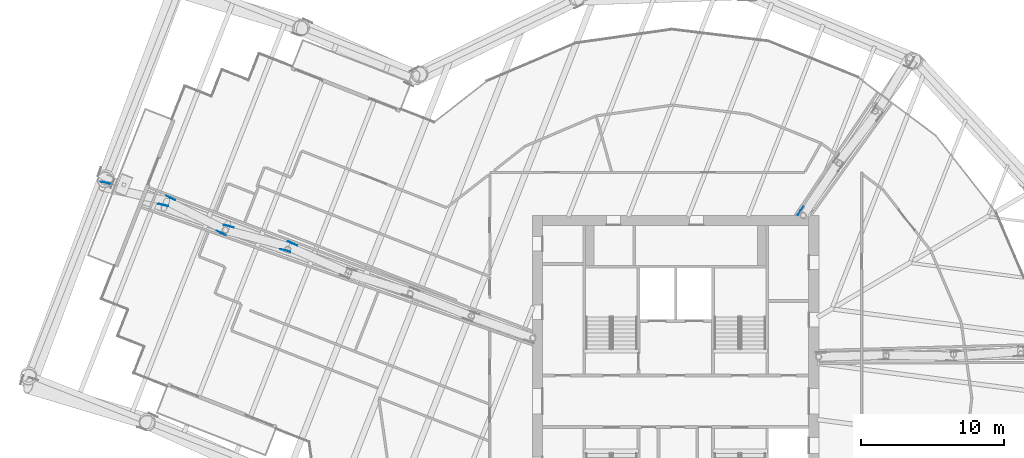
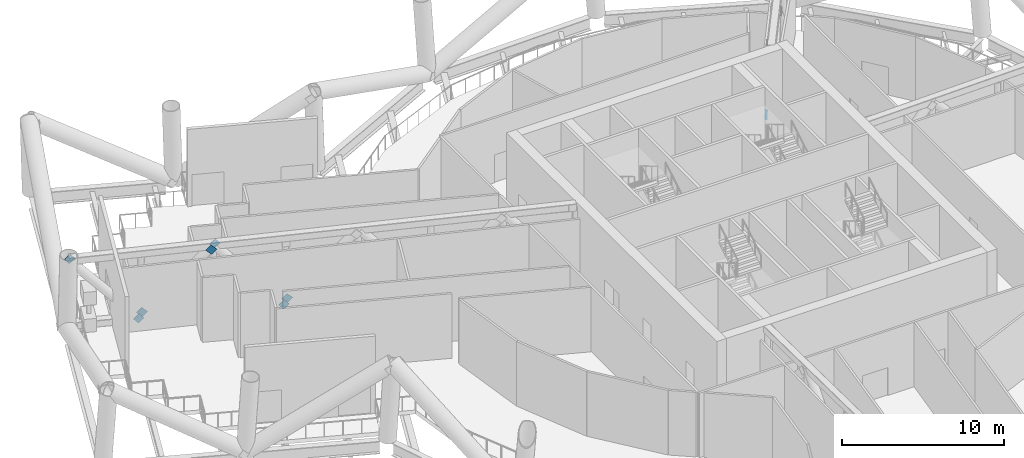
# One storey, part 18 of 36: 8 discrete accessories.
"""IFC4 building model written with IfcOpenShell, lengths in metres."""

from ifc_helpers import new_model, si_unit, direction, frame, origin, origin_2d, place, context, subcontext, project, spatial, rectangle, extrude, material, material_profile, profile_set, type_object, element, save


model = new_model("IFC4")

# Units and contexts
model_context = context("Model", 3, precision=1e-05, world=origin(), true_north=direction((0.0, 1.0)))
body_context = subcontext(model_context, "Body", "Model", "MODEL_VIEW")
ifc_project = project(units=[si_unit("LENGTHUNIT", "METRE"), si_unit("AREAUNIT", "SQUARE_METRE"), si_unit("VOLUMEUNIT", "CUBIC_METRE"), si_unit("PLANEANGLEUNIT", "RADIAN"), si_unit("MASSUNIT", "GRAM", prefix="KILO")], contexts=[model_context])

# Site, building, storey
site_placement = place(None, origin())
site = spatial("IfcSite", under=ifc_project, at=site_placement, CompositionType="ELEMENT")
building_placement = place(site_placement, origin())
building = spatial("IfcBuilding", under=site, at=building_placement, Name="Tarsis Ring Headquarters", CompositionType="ELEMENT")
storey_placement = place(building_placement, frame((0.0, 0.0, 194.39990234375)))
storey = spatial("IfcBuildingStorey", under=building, at=storey_placement, Name="L45", CompositionType="ELEMENT", Elevation=194.39990234375)

# Discrete accessories
ifc_material = material(Name="Structural steel S355", Category="steel")
ifc_material_profile = material_profile(ifc_material, rectangle(XDim=0.02490234375, YDim=0.5, at=origin_2d()), Name="PL 25x500")
ifc_profile_set = profile_set([ifc_material_profile], Name="Structural steel S355")
discrete_accessory_type = type_object("IfcDiscreteAccessoryType", Name="Gusset plate Outrigger 25", PredefinedType="BRACKET", material=ifc_profile_set)
discrete_accessory_1_placement = place(storey_placement, frame((-26.93408203125, 11.087890625, 0.254150390625), z_axis=(0.594272215905, -0.263686932283, 0.759809012283), x_axis=(0.405580890965, 0.914059156119, 0.0)))
element("IfcDiscreteAccessory", 1, at=discrete_accessory_1_placement, inside=storey, type_object=discrete_accessory_type, Name="Gusset plate GP1", PredefinedType="BRACKET", context=body_context, shape_type="SweptSolid", body=[
    extrude(rectangle(XDim=0.02490234375, YDim=0.5, at=origin_2d()), origin(), (0.0, 0.0, 1.0), 0.5),
])
discrete_accessory_2_placement = place(storey_placement, frame((-27.14404296875, 10.4912109375, 0.254150390625), z_axis=(-0.630041608313, 0.166545882508, 0.758491951713), x_axis=(-0.255562956432, -0.966792415827, 0.0)))
element("IfcDiscreteAccessory", 2, at=discrete_accessory_2_placement, inside=storey, type_object=discrete_accessory_type, Name="Gusset plate GP1", PredefinedType="BRACKET", context=body_context, shape_type="SweptSolid", body=[
    extrude(rectangle(XDim=0.02490234375, YDim=0.5, at=origin_2d()), origin(), (0.0, 0.0, 1.0), 0.499755859375),
])
for number, where, z_axis, x_axis, name in (
    (3, (-31.409912109375, 12.2763671875, 5.586181640625), (0.629757002912, -0.16695883333, -0.758637505833), (0.256263258038, 0.966607025931, 0.0), "Gusset plate GP1"),
    (4, (-31.63134765625, 11.68505859375, 5.586181640625), (-0.58391073482, 0.287561390308, -0.759181599201), (-0.441804773381, -0.897111220651, 0.0), "Gusset plate GP1"),
):
    element("IfcDiscreteAccessory", number, at=place(storey_placement, frame(where, z_axis=z_axis, x_axis=x_axis)), inside=storey, type_object=discrete_accessory_type, Name=name, PredefinedType="BRACKET", context=body_context, shape_type="SweptSolid", body=[
        extrude(rectangle(XDim=0.02490234375, YDim=0.5, at=origin_2d()), origin(), (0.0, 0.0, 1.0), 0.5),
    ])
discrete_accessory_3_placement = place(storey_placement, frame((-35.4541015625, 14.276123046875, 0.254150390625), z_axis=(0.584127210546, -0.287667999174, 0.758974653168), x_axis=(0.441804773381, 0.897111220651, 0.0)))
element("IfcDiscreteAccessory", 5, at=discrete_accessory_3_placement, inside=storey, type_object=discrete_accessory_type, Name="Gusset plate GP1", PredefinedType="BRACKET", context=body_context, shape_type="SweptSolid", body=[
    extrude(rectangle(XDim=0.02490234375, YDim=0.5, at=origin_2d()), origin(), (0.0, 0.0, 1.0), 0.499755859375),
])
for number, where, z_axis, x_axis, name in (
    (6, (-35.663330078125, 13.681884765625, 0.254150390625), (-0.637808383124, 0.142115037894, 0.75697013311), (-0.21748435515, -0.976063806964, 0.0), "Gusset plate GP1"),
    (7, (-40.0185546875, 15.302734375, 5.586181640625), (0.637572652902, -0.142062513013, -0.757178548737), (0.21748435515, 0.976063806964, 0.0), "Gusset plate GP1"),
    (8, (8.64501953125, 13.1767578125, 0.254150390625), (0.355985422581, 0.5308040526, 0.769104308045), (-0.830519043209, 0.55699023229, 0.0), "Gusset plate GP1"),
):
    element("IfcDiscreteAccessory", number, at=place(storey_placement, frame(where, z_axis=z_axis, x_axis=x_axis)), inside=storey, type_object=discrete_accessory_type, Name=name, PredefinedType="BRACKET", context=body_context, shape_type="SweptSolid", body=[
        extrude(rectangle(XDim=0.02490234375, YDim=0.5, at=origin_2d()), origin(), (0.0, 0.0, 1.0), 0.5),
    ])

save(model, "model.ifc")
